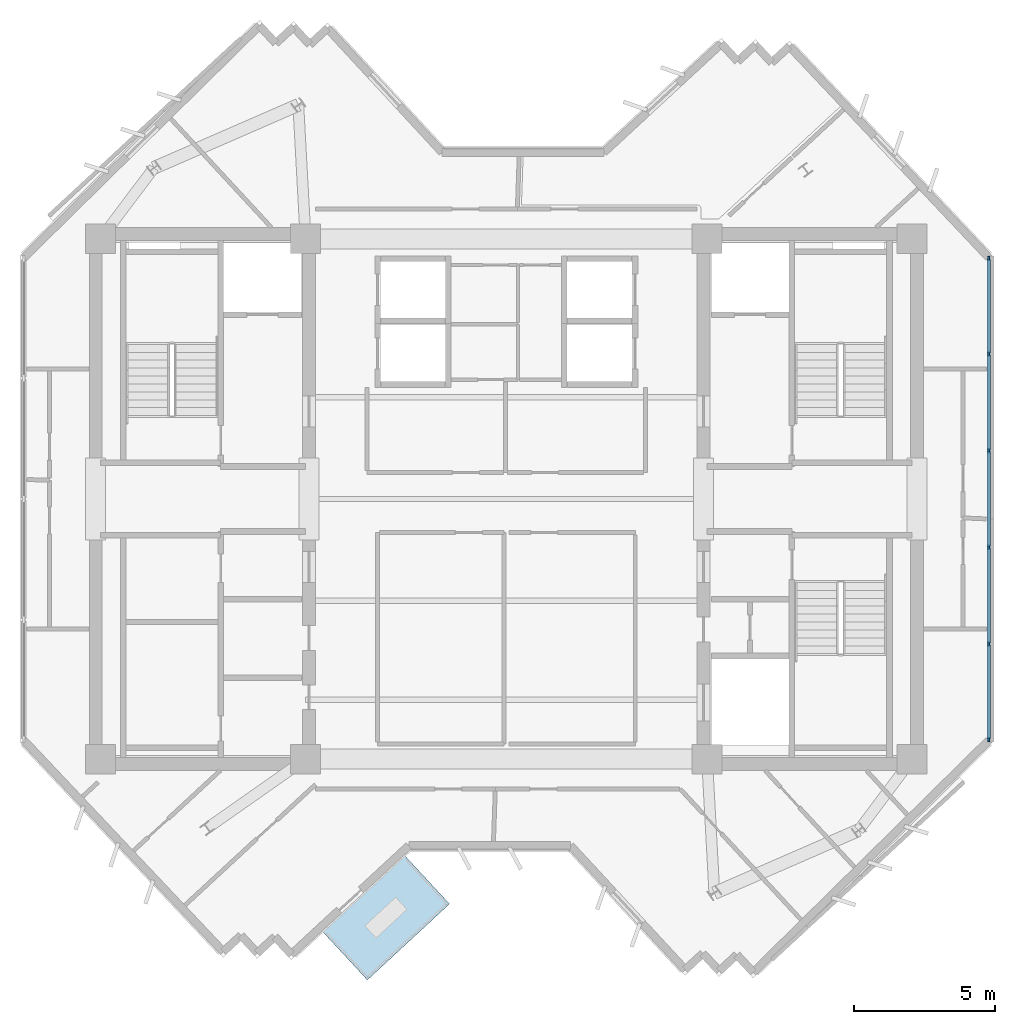
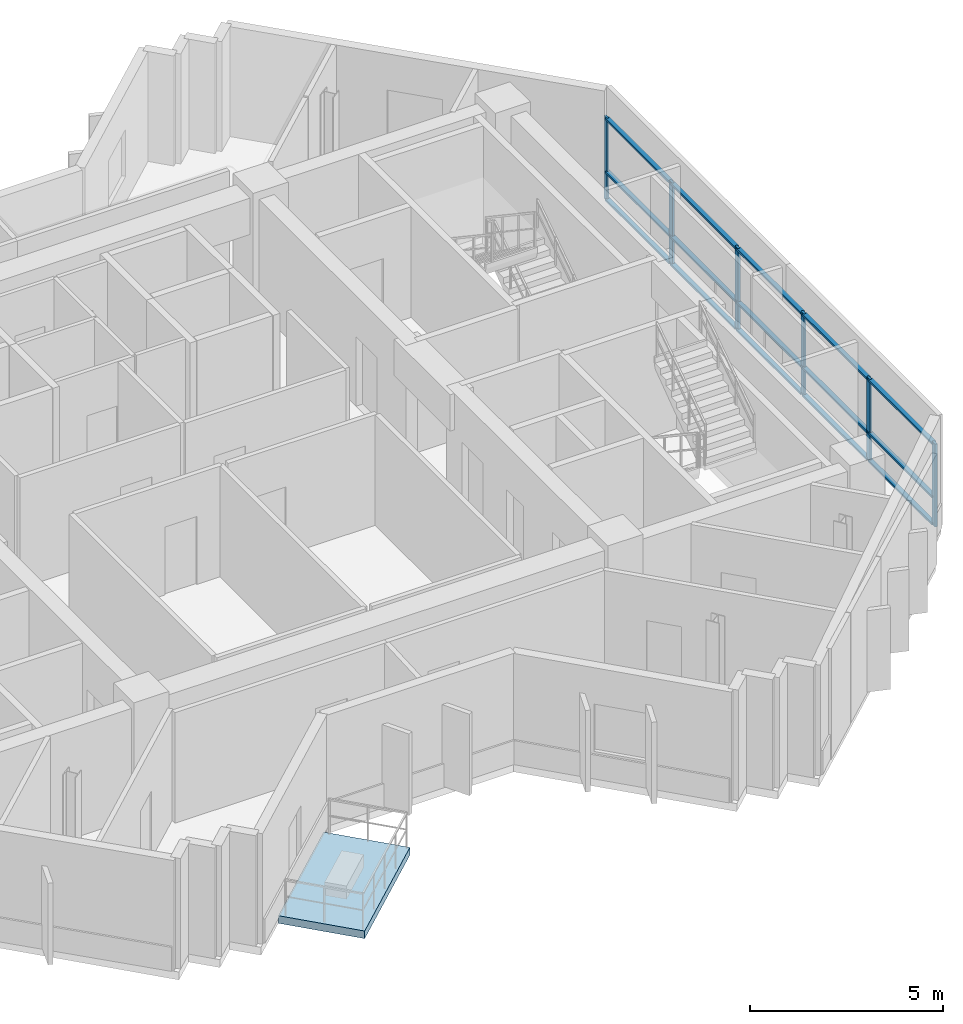
# One storey, part 2 of 9: 21 members, 1 slab, 1 element without a shape of its own.
"""IFC4 building model written with IfcOpenShell, lengths in metres."""

from ifc_helpers import new_model, si_unit, direction, frame, origin, origin_2d, place, context, subcontext, project, spatial, polyline, rectangle, outline, extrude, source, transform, mapped, material, layer, layer_set, material_profile, profile_set, type_object, element, aggregate, save


model = new_model("IFC4")

# Units and contexts
model_context = context("Model", 3, precision=1e-05, world=origin(), true_north=direction((0.0, 1.0)))
body_context = subcontext(model_context, "Body", "Model", "MODEL_VIEW")
ifc_project = project(units=[si_unit("LENGTHUNIT", "METRE"), si_unit("AREAUNIT", "SQUARE_METRE"), si_unit("VOLUMEUNIT", "CUBIC_METRE"), si_unit("PLANEANGLEUNIT", "RADIAN"), si_unit("MASSUNIT", "GRAM", prefix="KILO")], contexts=[model_context])

# Site, building, storey
site_placement = place(None, origin())
site = spatial("IfcSite", under=ifc_project, at=site_placement, CompositionType="ELEMENT")
building_placement = place(site_placement, origin())
building = spatial("IfcBuilding", under=site, at=building_placement, Name="Zahravan Cultural Tower", CompositionType="ELEMENT")
storey_placement = place(building_placement, frame((0.0, 0.0, 299.10009765625)))
storey = spatial("IfcBuildingStorey", under=building, at=storey_placement, Name="L72", CompositionType="ELEMENT", Elevation=299.10009765625)

# Curtain wall, members
ifc_material_1 = material(Name="Anodised bronze-aluminium mullion", Category="aluminium")
ifc_layer_1 = layer(ifc_material_1, 0.1650390625)
ifc_layer_set_1 = layer_set([ifc_layer_1], Name="Anodised bronze-aluminium mullion")
curtain_wall_type = type_object("IfcCurtainWallType", Name="CW-SYS-4", PredefinedType="USERDEFINED", material=ifc_layer_set_1)
curtain_wall_placement = place(storey_placement, origin())
curtain_wall = element("IfcCurtainWall", 1, at=curtain_wall_placement, inside=storey, type_object=curtain_wall_type, Name="L72 Recessed Curtain Wall CW-4.1", ObjectType="RECESSED GLAZING", PredefinedType="USERDEFINED")
ifc_material_profile_1 = material_profile(ifc_material_1, rectangle(XDim=0.06494140625, YDim=0.1650390625, at=origin_2d()), Name="AL-M65X165")
ifc_profile_set_1 = profile_set([ifc_material_profile_1], Name="Anodised bronze-aluminium mullion")
member_type_1 = type_object("IfcMemberType", Name="CWM-CW-4", PredefinedType="MULLION", material=ifc_profile_set_1)
shared_shape_1 = source(origin(), body_context, "Body", "SweptSolid", [
    extrude(rectangle(XDim=0.06494140625, YDim=0.1650390625, at=origin_2d()), origin(), (0.0, 0.0, 1.0), 2.619873046875),
])
member_1_placement = place(storey_placement, frame((53.06005859375, 35.509521484375, 0.0), z_axis=(0.0, 0.0, 1.0), x_axis=(1.0, 0.0, 0.0)))
member_1 = element("IfcMember", 2, at=member_1_placement, type_object=member_type_1, Name="CW-4 mullion 1", PredefinedType="MULLION", context=body_context, shape_type="MappedRepresentation", body=[
    mapped(shared_shape_1, transform((0.0, 0.0, 0.0), x_axis=(1.0, 0.0, 0.0), y_axis=(0.0, 1.0, 0.0), z_axis=(0.0, 0.0, 1.0), scale=1.0)),
])
member_2_placement = place(storey_placement, frame((53.06005859375, 32.125244140625, 0.0), z_axis=(0.0, 0.0, 1.0), x_axis=(1.0, 0.0, 0.0)))
member_2 = element("IfcMember", 3, at=member_2_placement, type_object=member_type_1, Name="CW-4 mullion 2", PredefinedType="MULLION", context=body_context, shape_type="MappedRepresentation", body=[
    mapped(shared_shape_1, transform((0.0, 0.0, 0.0), x_axis=(1.0, 0.0, 0.0), y_axis=(0.0, 1.0, 0.0), z_axis=(0.0, 0.0, 1.0), scale=1.0)),
])
member_3_placement = place(storey_placement, frame((53.06005859375, 28.70849609375, 0.0), z_axis=(0.0, 0.0, 1.0), x_axis=(1.0, 0.0, 0.0)))
member_3 = element("IfcMember", 4, at=member_3_placement, type_object=member_type_1, Name="CW-4 mullion 3", PredefinedType="MULLION", context=body_context, shape_type="MappedRepresentation", body=[
    mapped(shared_shape_1, transform((0.0, 0.0, 0.0), x_axis=(1.0, 0.0, 0.0), y_axis=(0.0, 1.0, 0.0), z_axis=(0.0, 0.0, 1.0), scale=1.0)),
])
member_4_placement = place(storey_placement, frame((53.06005859375, 25.29150390625, 0.0), z_axis=(0.0, 0.0, 1.0), x_axis=(1.0, 0.0, 0.0)))
member_4 = element("IfcMember", 5, at=member_4_placement, type_object=member_type_1, Name="CW-4 mullion 4", PredefinedType="MULLION", context=body_context, shape_type="MappedRepresentation", body=[
    mapped(shared_shape_1, transform((0.0, 0.0, 0.0), x_axis=(1.0, 0.0, 0.0), y_axis=(0.0, 1.0, 0.0), z_axis=(0.0, 0.0, 1.0), scale=1.0)),
])
member_5_placement = place(storey_placement, frame((53.06005859375, 21.874755859375, 0.0), z_axis=(0.0, 0.0, 1.0), x_axis=(1.0, 0.0, 0.0)))
member_5 = element("IfcMember", 6, at=member_5_placement, type_object=member_type_1, Name="CW-4 mullion 5", PredefinedType="MULLION", context=body_context, shape_type="MappedRepresentation", body=[
    mapped(shared_shape_1, transform((0.0, 0.0, 0.0), x_axis=(1.0, 0.0, 0.0), y_axis=(0.0, 1.0, 0.0), z_axis=(0.0, 0.0, 1.0), scale=1.0)),
])
member_6_placement = place(storey_placement, frame((53.06005859375, 18.490478515625, 0.0), z_axis=(0.0, 0.0, 1.0), x_axis=(1.0, 0.0, 0.0)))
member_6 = element("IfcMember", 7, at=member_6_placement, type_object=member_type_1, Name="CW-4 mullion 6", PredefinedType="MULLION", context=body_context, shape_type="MappedRepresentation", body=[
    mapped(shared_shape_1, transform((0.0, 0.0, 0.0), x_axis=(1.0, 0.0, 0.0), y_axis=(0.0, 1.0, 0.0), z_axis=(0.0, 0.0, 1.0), scale=1.0)),
])
ifc_material_profile_2 = material_profile(ifc_material_1, rectangle(XDim=0.1298828125, YDim=0.06494140625, at=origin_2d()), Name="AL-T65X130")
ifc_profile_set_2 = profile_set([ifc_material_profile_2], Name="Anodised bronze-aluminium mullion")
member_type_2 = type_object("IfcMemberType", Name="CWT-CW-4", PredefinedType="USERDEFINED", material=ifc_profile_set_2)
shared_shape_2 = source(origin(), body_context, "Body", "SweptSolid", [
    extrude(rectangle(XDim=0.1298828125, YDim=0.06494140625, at=origin_2d()), origin(), (0.0, 0.0, 1.0), 3.3193359375),
])
member_7_placement = place(storey_placement, frame((53.06005859375, 35.47705078125, 0.032470703125), z_axis=(0.0, -1.0, 0.0), x_axis=(1.0, 0.0, 0.0)))
member_7 = element("IfcMember", 8, at=member_7_placement, type_object=member_type_2, Name="CW-4 transom 1.1", ObjectType="TRANSOM", PredefinedType="USERDEFINED", context=body_context, shape_type="MappedRepresentation", body=[
    mapped(shared_shape_2, transform((0.0, 0.0, 0.0), x_axis=(1.0, 0.0, 0.0), y_axis=(0.0, 1.0, 0.0), z_axis=(0.0, 0.0, 1.0), scale=1.0)),
])
member_8_placement = place(storey_placement, frame((53.06005859375, 35.47705078125, 0.89990234375), z_axis=(0.0, -1.0, 0.0), x_axis=(1.0, 0.0, 0.0)))
member_8 = element("IfcMember", 9, at=member_8_placement, type_object=member_type_2, Name="CW-4 transom 1.2", ObjectType="TRANSOM", PredefinedType="USERDEFINED", context=body_context, shape_type="MappedRepresentation", body=[
    mapped(shared_shape_2, transform((0.0, 0.0, 0.0), x_axis=(1.0, 0.0, 0.0), y_axis=(0.0, 1.0, 0.0), z_axis=(0.0, 0.0, 1.0), scale=1.0)),
])
member_9_placement = place(storey_placement, frame((53.06005859375, 35.47705078125, 2.58740234375), z_axis=(0.0, -1.0, 0.0), x_axis=(1.0, 0.0, 0.0)))
member_9 = element("IfcMember", 10, at=member_9_placement, type_object=member_type_2, Name="CW-4 transom 1.3", ObjectType="TRANSOM", PredefinedType="USERDEFINED", context=body_context, shape_type="MappedRepresentation", body=[
    mapped(shared_shape_2, transform((0.0, 0.0, 0.0), x_axis=(1.0, 0.0, 0.0), y_axis=(0.0, 1.0, 0.0), z_axis=(0.0, 0.0, 1.0), scale=1.0)),
])
member_10_placement = place(storey_placement, frame((53.06005859375, 21.84228515625, 0.032470703125), z_axis=(0.0, -1.0, 0.0), x_axis=(1.0, 0.0, 0.0)))
member_10 = element("IfcMember", 11, at=member_10_placement, type_object=member_type_2, Name="CW-4 transom 5.1", ObjectType="TRANSOM", PredefinedType="USERDEFINED", context=body_context, shape_type="MappedRepresentation", body=[
    mapped(shared_shape_2, transform((0.0, 0.0, 0.0), x_axis=(1.0, 0.0, 0.0), y_axis=(0.0, 1.0, 0.0), z_axis=(0.0, 0.0, 1.0), scale=1.0)),
])
member_11_placement = place(storey_placement, frame((53.06005859375, 21.84228515625, 0.89990234375), z_axis=(0.0, -1.0, 0.0), x_axis=(1.0, 0.0, 0.0)))
member_11 = element("IfcMember", 12, at=member_11_placement, type_object=member_type_2, Name="CW-4 transom 5.2", ObjectType="TRANSOM", PredefinedType="USERDEFINED", context=body_context, shape_type="MappedRepresentation", body=[
    mapped(shared_shape_2, transform((0.0, 0.0, 0.0), x_axis=(1.0, 0.0, 0.0), y_axis=(0.0, 1.0, 0.0), z_axis=(0.0, 0.0, 1.0), scale=1.0)),
])
member_12_placement = place(storey_placement, frame((53.06005859375, 21.84228515625, 2.58740234375), z_axis=(0.0, -1.0, 0.0), x_axis=(1.0, 0.0, 0.0)))
member_12 = element("IfcMember", 13, at=member_12_placement, type_object=member_type_2, Name="CW-4 transom 5.3", ObjectType="TRANSOM", PredefinedType="USERDEFINED", context=body_context, shape_type="MappedRepresentation", body=[
    mapped(shared_shape_2, transform((0.0, 0.0, 0.0), x_axis=(1.0, 0.0, 0.0), y_axis=(0.0, 1.0, 0.0), z_axis=(0.0, 0.0, 1.0), scale=1.0)),
])
shared_shape_3 = source(origin(), body_context, "Body", "SweptSolid", [
    extrude(rectangle(XDim=0.1298828125, YDim=0.06494140625, at=origin_2d()), origin(), (0.0, 0.0, 1.0), 3.351806640625),
])
member_13_placement = place(storey_placement, frame((53.06005859375, 32.0927734375, 0.032470703125), z_axis=(0.0, -1.0, 0.0), x_axis=(1.0, 0.0, 0.0)))
member_13 = element("IfcMember", 14, at=member_13_placement, type_object=member_type_2, Name="CW-4 transom 2.1", ObjectType="TRANSOM", PredefinedType="USERDEFINED", context=body_context, shape_type="MappedRepresentation", body=[
    mapped(shared_shape_3, transform((0.0, 0.0, 0.0), x_axis=(1.0, 0.0, 0.0), y_axis=(0.0, 1.0, 0.0), z_axis=(0.0, 0.0, 1.0), scale=1.0)),
])
member_14_placement = place(storey_placement, frame((53.06005859375, 32.0927734375, 0.89990234375), z_axis=(0.0, -1.0, 0.0), x_axis=(1.0, 0.0, 0.0)))
member_14 = element("IfcMember", 15, at=member_14_placement, type_object=member_type_2, Name="CW-4 transom 2.2", ObjectType="TRANSOM", PredefinedType="USERDEFINED", context=body_context, shape_type="MappedRepresentation", body=[
    mapped(shared_shape_3, transform((0.0, 0.0, 0.0), x_axis=(1.0, 0.0, 0.0), y_axis=(0.0, 1.0, 0.0), z_axis=(0.0, 0.0, 1.0), scale=1.0)),
])
member_15_placement = place(storey_placement, frame((53.06005859375, 32.0927734375, 2.58740234375), z_axis=(0.0, -1.0, 0.0), x_axis=(1.0, 0.0, 0.0)))
member_15 = element("IfcMember", 16, at=member_15_placement, type_object=member_type_2, Name="CW-4 transom 2.3", ObjectType="TRANSOM", PredefinedType="USERDEFINED", context=body_context, shape_type="MappedRepresentation", body=[
    mapped(shared_shape_3, transform((0.0, 0.0, 0.0), x_axis=(1.0, 0.0, 0.0), y_axis=(0.0, 1.0, 0.0), z_axis=(0.0, 0.0, 1.0), scale=1.0)),
])
member_16_placement = place(storey_placement, frame((53.06005859375, 25.259033203125, 0.032470703125), z_axis=(0.0, -1.0, 0.0), x_axis=(1.0, 0.0, 0.0)))
member_16 = element("IfcMember", 17, at=member_16_placement, type_object=member_type_2, Name="CW-4 transom 4.1", ObjectType="TRANSOM", PredefinedType="USERDEFINED", context=body_context, shape_type="MappedRepresentation", body=[
    mapped(shared_shape_3, transform((0.0, 0.0, 0.0), x_axis=(1.0, 0.0, 0.0), y_axis=(0.0, 1.0, 0.0), z_axis=(0.0, 0.0, 1.0), scale=1.0)),
])
member_17_placement = place(storey_placement, frame((53.06005859375, 25.259033203125, 0.89990234375), z_axis=(0.0, -1.0, 0.0), x_axis=(1.0, 0.0, 0.0)))
member_17 = element("IfcMember", 18, at=member_17_placement, type_object=member_type_2, Name="CW-4 transom 4.2", ObjectType="TRANSOM", PredefinedType="USERDEFINED", context=body_context, shape_type="MappedRepresentation", body=[
    mapped(shared_shape_3, transform((0.0, 0.0, 0.0), x_axis=(1.0, 0.0, 0.0), y_axis=(0.0, 1.0, 0.0), z_axis=(0.0, 0.0, 1.0), scale=1.0)),
])
member_18_placement = place(storey_placement, frame((53.06005859375, 25.259033203125, 2.58740234375), z_axis=(0.0, -1.0, 0.0), x_axis=(1.0, 0.0, 0.0)))
member_18 = element("IfcMember", 19, at=member_18_placement, type_object=member_type_2, Name="CW-4 transom 4.3", ObjectType="TRANSOM", PredefinedType="USERDEFINED", context=body_context, shape_type="MappedRepresentation", body=[
    mapped(shared_shape_3, transform((0.0, 0.0, 0.0), x_axis=(1.0, 0.0, 0.0), y_axis=(0.0, 1.0, 0.0), z_axis=(0.0, 0.0, 1.0), scale=1.0)),
])
shared_shape_4 = source(origin(), body_context, "Body", "SweptSolid", [
    extrude(rectangle(XDim=0.1298828125, YDim=0.06494140625, at=origin_2d()), origin(), (0.0, 0.0, 1.0), 3.3515625),
])
member_19_placement = place(storey_placement, frame((53.06005859375, 28.67578125, 0.032470703125), z_axis=(0.0, -1.0, 0.0), x_axis=(1.0, 0.0, 0.0)))
member_19 = element("IfcMember", 20, at=member_19_placement, type_object=member_type_2, Name="CW-4 transom 3.1", ObjectType="TRANSOM", PredefinedType="USERDEFINED", context=body_context, shape_type="MappedRepresentation", body=[
    mapped(shared_shape_4, transform((0.0, 0.0, 0.0), x_axis=(1.0, 0.0, 0.0), y_axis=(0.0, 1.0, 0.0), z_axis=(0.0, 0.0, 1.0), scale=1.0)),
])
member_20_placement = place(storey_placement, frame((53.06005859375, 28.67578125, 0.89990234375), z_axis=(0.0, -1.0, 0.0), x_axis=(1.0, 0.0, 0.0)))
member_20 = element("IfcMember", 21, at=member_20_placement, type_object=member_type_2, Name="CW-4 transom 3.2", ObjectType="TRANSOM", PredefinedType="USERDEFINED", context=body_context, shape_type="MappedRepresentation", body=[
    mapped(shared_shape_4, transform((0.0, 0.0, 0.0), x_axis=(1.0, 0.0, 0.0), y_axis=(0.0, 1.0, 0.0), z_axis=(0.0, 0.0, 1.0), scale=1.0)),
])
member_21_placement = place(storey_placement, frame((53.06005859375, 28.67578125, 2.58740234375), z_axis=(0.0, -1.0, 0.0), x_axis=(1.0, 0.0, 0.0)))
member_21 = element("IfcMember", 22, at=member_21_placement, type_object=member_type_2, Name="CW-4 transom 3.3", ObjectType="TRANSOM", PredefinedType="USERDEFINED", context=body_context, shape_type="MappedRepresentation", body=[
    mapped(shared_shape_4, transform((0.0, 0.0, 0.0), x_axis=(1.0, 0.0, 0.0), y_axis=(0.0, 1.0, 0.0), z_axis=(0.0, 0.0, 1.0), scale=1.0)),
])
aggregate(curtain_wall, [member_1, member_2, member_3, member_4, member_5, member_6, member_7, member_8, member_9, member_13, member_14, member_15, member_19, member_20, member_21, member_16, member_17, member_18, member_10, member_11, member_12])

# Slab
ifc_material_2 = material(Name="Concrete C40/50", Category="concrete")
ifc_layer_2 = layer(ifc_material_2, 0.239990234375)
ifc_layer_set_2 = layer_set([ifc_layer_2], Name="Concrete C40/50")
slab_type = type_object("IfcSlabType", Name="SL-TERR-240", PredefinedType="FLOOR", material=ifc_layer_set_2)
slab_placement = place(storey_placement, frame((0.0, 0.0, -0.239990234375)))
element("IfcSlab", 23, at=slab_placement, inside=storey, type_object=slab_type, Name="L72 Planted Sculpture Terrace SW", PredefinedType="FLOOR", context=body_context, shape_type="SweptSolid", body=[
    extrude(outline(polyline([(33.99072265625, 12.677734375), (32.3984375, 14.3994140625), (29.491455078125, 11.71044921875), (31.083740234375, 9.989013671875), (33.99072265625, 12.677734375)])), origin(), (0.0, 0.0, 1.0), 0.239990234375),
])

save(model, "model.ifc")
